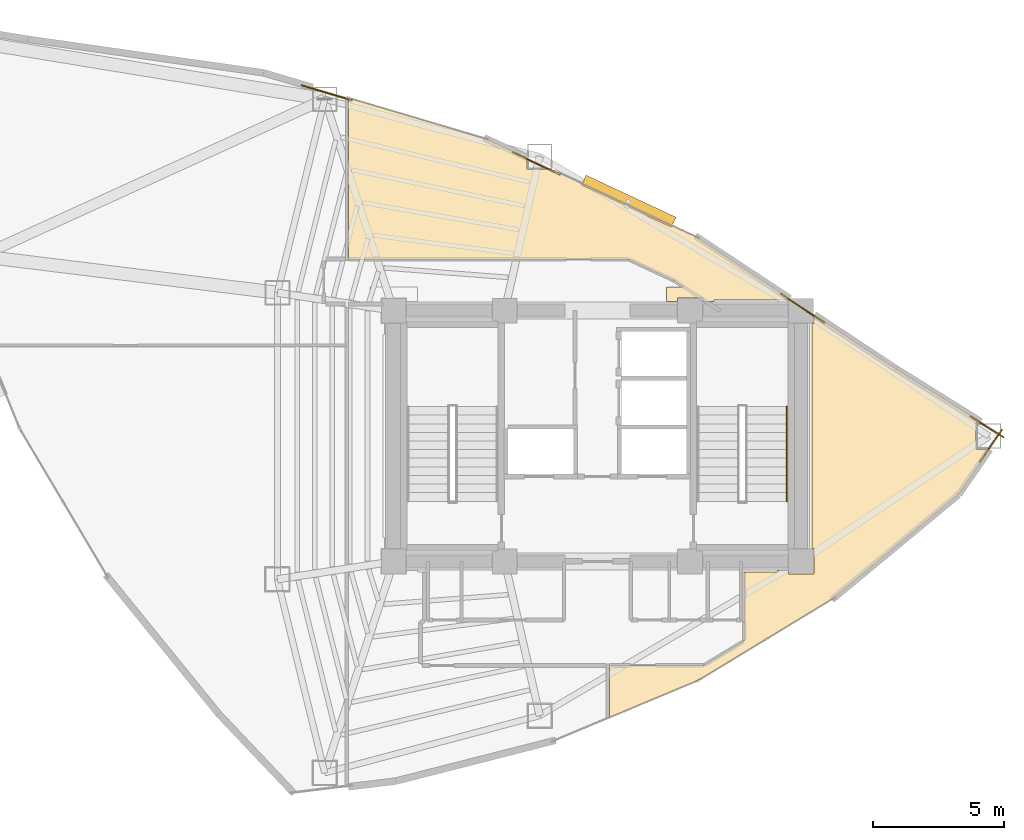
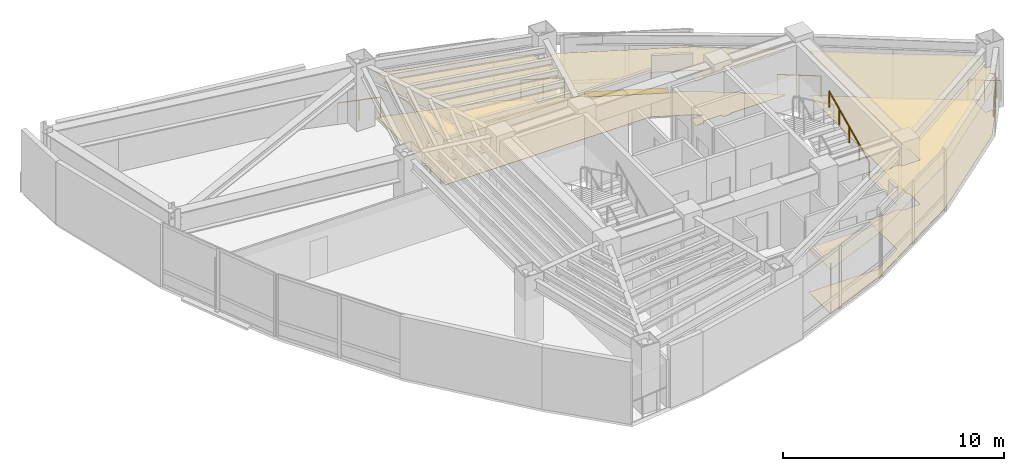
# One storey, part 16 of 16: 6 railings, 4 coverings, 1 shading device.
"""IFC4 building model written with IfcOpenShell, lengths in metres."""

from ifc_helpers import new_model, si_unit, direction, frame, origin, origin_2d, place, context, subcontext, project, spatial, polyline, rectangle, circle, outline, extrude, material, layer, layer_set, type_object, element, save


model = new_model("IFC4")

# Units and contexts
model_context = context("Model", 3, precision=1e-05, world=origin(), true_north=direction((0.0, 1.0)))
body_context = subcontext(model_context, "Body", "Model", "MODEL_VIEW")
ifc_project = project(units=[si_unit("LENGTHUNIT", "METRE"), si_unit("AREAUNIT", "SQUARE_METRE"), si_unit("VOLUMEUNIT", "CUBIC_METRE"), si_unit("PLANEANGLEUNIT", "RADIAN"), si_unit("MASSUNIT", "GRAM", prefix="KILO")], contexts=[model_context])

# Site, building, storey
site_placement = place(None, origin())
site = spatial("IfcSite", under=ifc_project, at=site_placement, CompositionType="ELEMENT")
building_placement = place(site_placement, origin())
building = spatial("IfcBuilding", under=site, at=building_placement, Name="Menara Vayukalpa", CompositionType="ELEMENT")
storey_placement = place(building_placement, frame((0.0, 0.0, 202.679931640625)))
storey = spatial("IfcBuildingStorey", under=building, at=storey_placement, Name="L51", CompositionType="ELEMENT", Elevation=202.679931640625)

# Coverings
ifc_material_1 = material(Name="Mineral Fibre Acoustic Ceiling Tile", Category="masonry")
ifc_layer_1 = layer(ifc_material_1, 0.02490234375)
ifc_layer_set_1 = layer_set([ifc_layer_1], Name="Mineral Fibre Acoustic Ceiling Tile")
covering_type_1 = type_object("IfcCoveringType", Name="COV-CLG1", PredefinedType="CEILING", material=ifc_layer_set_1)
covering_1_placement = place(storey_placement, frame((0.0, 0.0, 2.449951171875)))
element("IfcCovering", 1, at=covering_1_placement, inside=storey, type_object=covering_type_1, Name="L51 Technical Reference Library Acoustic Ceiling", PredefinedType="CEILING", context=body_context, shape_type="SweptSolid", body=[
    extrude(outline(polyline([(33.81005859375, 26.31005859375), (33.889892578125, 26.31005859375), (33.889892578125, 26.653564453125), (37.04296875, 24.569580078125), (37.04345703125, 24.5693359375), (37.04345703125, 24.5693359375), (40.373779296875, 22.489990234375), (40.1005859375, 22.489990234375), (40.1005859375, 21.510009765625), (40.635009765625, 21.510009765625), (39.4326171875, 19.765869140625), (39.431884765625, 19.76513671875), (39.431396484375, 19.764404296875), (39.4306640625, 19.763916015625), (34.662109375, 15.809326171875), (34.660888671875, 15.80859375), (29.47998046875, 12.661376953125), (29.479248046875, 12.660888671875), (29.478515625, 12.66064453125), (26.073974609375, 11.236328125), (26.072998046875, 11.236083984375), (26.072021484375, 11.23583984375), (26.071044921875, 11.235595703125), (26.070068359375, 11.235595703125), (26.069091796875, 11.235595703125), (26.068115234375, 11.23583984375), (26.067138671875, 11.236083984375), (26.066162109375, 11.236328125), (26.065185546875, 11.23681640625), (26.064453125, 11.2373046875), (26.063720703125, 11.23779296875), (26.06298828125, 11.238525390625), (26.062255859375, 11.2392578125), (26.061767578125, 11.239990234375), (26.061279296875, 11.240966796875), (26.060791015625, 11.24169921875), (26.060302734375, 11.24267578125), (26.060302734375, 11.24365234375), (26.06005859375, 11.24462890625), (26.06005859375, 11.24560546875), (26.06005859375, 13.2099609375), (26.06005859375, 13.2109375), (26.060302734375, 13.2119140625), (26.060302734375, 13.212890625), (26.060791015625, 13.2138671875), (26.061279296875, 13.214599609375), (26.061767578125, 13.215576171875), (26.062255859375, 13.21630859375), (26.06298828125, 13.217041015625), (26.063720703125, 13.2177734375), (26.064453125, 13.21826171875), (26.065185546875, 13.21875), (26.066162109375, 13.21923828125), (26.067138671875, 13.219482421875), (26.068115234375, 13.2197265625), (26.069091796875, 13.219970703125), (26.070068359375, 13.219970703125), (29.667236328125, 13.219970703125), (29.673828125, 13.22021484375), (29.68017578125, 13.22119140625), (29.686279296875, 13.22265625), (29.6923828125, 13.224609375), (29.6982421875, 13.22705078125), (29.7041015625, 13.230224609375), (31.18603515625, 14.130615234375), (31.1923828125, 14.134765625), (31.19775390625, 14.139404296875), (31.20263671875, 14.14453125), (31.20703125, 14.150146484375), (31.2109375, 14.15625), (31.214111328125, 14.16259765625), (31.216552734375, 14.16943359375), (31.218505859375, 14.176513671875), (31.219482421875, 14.183349609375), (31.219970703125, 14.19091796875), (31.219970703125, 14.849609375), (31.219482421875, 14.856689453125), (31.21875, 14.86376953125), (31.217041015625, 14.870361328125), (31.214599609375, 14.876708984375), (31.2119140625, 14.8828125), (31.211669921875, 14.883056640625), (31.211181640625, 14.8837890625), (31.210693359375, 14.884765625), (31.21044921875, 14.8857421875), (31.210205078125, 14.88671875), (31.2099609375, 14.8876953125), (31.2099609375, 14.888671875), (31.2099609375, 16.780029296875), (31.2099609375, 16.781005859375), (31.210205078125, 16.781982421875), (31.21044921875, 16.782958984375), (31.210693359375, 16.78369140625), (31.211181640625, 16.78466796875), (31.211669921875, 16.78564453125), (31.21240234375, 16.786376953125), (31.212890625, 16.787109375), (31.213623046875, 16.78759765625), (31.21435546875, 16.788330078125), (31.21533203125, 16.788818359375), (31.21630859375, 16.789306640625), (31.217041015625, 16.78955078125), (31.218017578125, 16.789794921875), (31.218994140625, 16.7900390625), (31.219970703125, 16.7900390625), (32.489990234375, 16.7900390625), (32.489990234375, 16.85009765625), (32.909912109375, 16.85009765625), (32.909912109375, 16.7099609375), (33.889892578125, 16.7099609375), (33.889892578125, 17.68994140625), (33.81005859375, 17.68994140625), (33.81005859375, 26.31005859375)])), origin(), (0.0, 0.0, 1.0), 0.025146484375),
])
covering_2_placement = place(storey_placement, frame((0.0, 0.0, 2.449951171875)))
element("IfcCovering", 2, at=covering_2_placement, inside=storey, type_object=covering_type_1, Name="L51 Technical Reference Library Acoustic Ceiling", PredefinedType="CEILING", context=body_context, shape_type="SweptSolid", body=[
    extrude(outline(polyline([(28.525390625, 27.95751953125), (28.515869140625, 27.962890625), (26.80517578125, 28.76318359375), (26.7978515625, 28.76611328125), (26.79052734375, 28.768310546875), (26.782958984375, 28.76953125), (26.77490234375, 28.77001953125), (16.070068359375, 28.77001953125), (16.069091796875, 28.77001953125), (16.068115234375, 28.770263671875), (16.067138671875, 28.7705078125), (16.066162109375, 28.770751953125), (16.065185546875, 28.771240234375), (16.064453125, 28.771728515625), (16.063720703125, 28.772216796875), (16.06298828125, 28.77294921875), (16.062255859375, 28.773681640625), (16.061767578125, 28.7744140625), (16.061279296875, 28.775390625), (16.060791015625, 28.776123046875), (16.060302734375, 28.777099609375), (16.060302734375, 28.778076171875), (16.06005859375, 28.779052734375), (16.06005859375, 28.780029296875), (16.06005859375, 34.93115234375), (16.06005859375, 34.93212890625), (16.060302734375, 34.93310546875), (16.060302734375, 34.93408203125), (16.060791015625, 34.934814453125), (16.061279296875, 34.935791015625), (16.061767578125, 34.9365234375), (16.062255859375, 34.9375), (16.06298828125, 34.938232421875), (16.063720703125, 34.938720703125), (16.064453125, 34.939453125), (16.065185546875, 34.93994140625), (16.066162109375, 34.940185546875), (16.067138671875, 34.940673828125), (16.068115234375, 34.94091796875), (16.069091796875, 34.94091796875), (16.06982421875, 34.941162109375), (16.07080078125, 34.941162109375), (16.072021484375, 34.94091796875), (16.07275390625, 34.940673828125), (21.35888671875, 33.37548828125), (21.359619140625, 33.375244140625), (21.3603515625, 33.375), (22.8994140625, 32.655029296875), (22.8994140625, 32.218505859375), (23.83251953125, 32.218505859375), (29.43701171875, 29.5966796875), (29.438232421875, 29.595947265625), (32.927001953125, 27.2900390625), (32.909912109375, 27.2900390625), (32.909912109375, 27.2099609375), (30.06005859375, 27.2099609375), (30.06005859375, 27.14990234375), (29.639892578125, 27.14990234375), (29.639892578125, 27.2900390625), (28.659912109375, 27.2900390625), (28.659912109375, 27.14990234375), (28.239990234375, 27.14990234375), (28.239990234375, 27.7099609375), (28.900146484375, 27.7099609375), (28.525390625, 27.95751953125)])), origin(), (0.0, 0.0, 1.0), 0.025146484375),
])
ifc_material_2 = material(Name="Porcelain Stoneware Floor Tile", Category="masonry")
ifc_layer_2 = layer(ifc_material_2, 0.02001953125)
ifc_layer_set_2 = layer_set([ifc_layer_2], Name="Porcelain Stoneware Floor Tile")
covering_type_2 = type_object("IfcCoveringType", Name="COV-FLR1", PredefinedType="FLOORING", material=ifc_layer_set_2)
covering_3_placement = place(storey_placement, origin())
element("IfcCovering", 3, at=covering_3_placement, inside=storey, type_object=covering_type_2, Name="L51 Technical Reference Library Porcelain Flooring", PredefinedType="FLOORING", context=body_context, shape_type="SweptSolid", body=[
    extrude(outline(polyline([(33.81005859375, 26.31005859375), (33.889892578125, 26.31005859375), (33.889892578125, 26.653564453125), (37.04296875, 24.569580078125), (37.04345703125, 24.5693359375), (37.04345703125, 24.5693359375), (40.373779296875, 22.489990234375), (40.1005859375, 22.489990234375), (40.1005859375, 21.510009765625), (40.635009765625, 21.510009765625), (39.4326171875, 19.765869140625), (39.431884765625, 19.76513671875), (39.431396484375, 19.764404296875), (39.4306640625, 19.763916015625), (34.662109375, 15.809326171875), (34.660888671875, 15.80859375), (29.47998046875, 12.661376953125), (29.479248046875, 12.660888671875), (29.478515625, 12.66064453125), (26.073974609375, 11.236328125), (26.072998046875, 11.236083984375), (26.072021484375, 11.23583984375), (26.071044921875, 11.235595703125), (26.070068359375, 11.235595703125), (26.069091796875, 11.235595703125), (26.068115234375, 11.23583984375), (26.067138671875, 11.236083984375), (26.066162109375, 11.236328125), (26.065185546875, 11.23681640625), (26.064453125, 11.2373046875), (26.063720703125, 11.23779296875), (26.06298828125, 11.238525390625), (26.062255859375, 11.2392578125), (26.061767578125, 11.239990234375), (26.061279296875, 11.240966796875), (26.060791015625, 11.24169921875), (26.060302734375, 11.24267578125), (26.060302734375, 11.24365234375), (26.06005859375, 11.24462890625), (26.06005859375, 11.24560546875), (26.06005859375, 13.2099609375), (26.06005859375, 13.2109375), (26.060302734375, 13.2119140625), (26.060302734375, 13.212890625), (26.060791015625, 13.2138671875), (26.061279296875, 13.214599609375), (26.061767578125, 13.215576171875), (26.062255859375, 13.21630859375), (26.06298828125, 13.217041015625), (26.063720703125, 13.2177734375), (26.064453125, 13.21826171875), (26.065185546875, 13.21875), (26.066162109375, 13.21923828125), (26.067138671875, 13.219482421875), (26.068115234375, 13.2197265625), (26.069091796875, 13.219970703125), (26.070068359375, 13.219970703125), (29.667236328125, 13.219970703125), (29.673828125, 13.22021484375), (29.68017578125, 13.22119140625), (29.686279296875, 13.22265625), (29.6923828125, 13.224609375), (29.6982421875, 13.22705078125), (29.7041015625, 13.230224609375), (31.18603515625, 14.130615234375), (31.1923828125, 14.134765625), (31.19775390625, 14.139404296875), (31.20263671875, 14.14453125), (31.20703125, 14.150146484375), (31.2109375, 14.15625), (31.214111328125, 14.16259765625), (31.216552734375, 14.16943359375), (31.218505859375, 14.176513671875), (31.219482421875, 14.183349609375), (31.219970703125, 14.19091796875), (31.219970703125, 14.849609375), (31.219482421875, 14.856689453125), (31.21875, 14.86376953125), (31.217041015625, 14.870361328125), (31.214599609375, 14.876708984375), (31.2119140625, 14.8828125), (31.211669921875, 14.883056640625), (31.211181640625, 14.8837890625), (31.210693359375, 14.884765625), (31.21044921875, 14.8857421875), (31.210205078125, 14.88671875), (31.2099609375, 14.8876953125), (31.2099609375, 14.888671875), (31.2099609375, 16.780029296875), (31.2099609375, 16.781005859375), (31.210205078125, 16.781982421875), (31.21044921875, 16.782958984375), (31.210693359375, 16.78369140625), (31.211181640625, 16.78466796875), (31.211669921875, 16.78564453125), (31.21240234375, 16.786376953125), (31.212890625, 16.787109375), (31.213623046875, 16.78759765625), (31.21435546875, 16.788330078125), (31.21533203125, 16.788818359375), (31.21630859375, 16.789306640625), (31.217041015625, 16.78955078125), (31.218017578125, 16.789794921875), (31.218994140625, 16.7900390625), (31.219970703125, 16.7900390625), (32.489990234375, 16.7900390625), (32.489990234375, 16.85009765625), (32.909912109375, 16.85009765625), (32.909912109375, 16.7099609375), (33.889892578125, 16.7099609375), (33.889892578125, 17.68994140625), (33.81005859375, 17.68994140625), (33.81005859375, 26.31005859375)])), origin(), (0.0, 0.0, 1.0), 0.02001953125),
])
covering_4_placement = place(storey_placement, origin())
element("IfcCovering", 4, at=covering_4_placement, inside=storey, type_object=covering_type_2, Name="L51 Technical Reference Library Porcelain Flooring", PredefinedType="FLOORING", context=body_context, shape_type="SweptSolid", body=[
    extrude(outline(polyline([(28.525390625, 27.95751953125), (28.515869140625, 27.962890625), (26.80517578125, 28.76318359375), (26.7978515625, 28.76611328125), (26.79052734375, 28.768310546875), (26.782958984375, 28.76953125), (26.77490234375, 28.77001953125), (16.070068359375, 28.77001953125), (16.069091796875, 28.77001953125), (16.068115234375, 28.770263671875), (16.067138671875, 28.7705078125), (16.066162109375, 28.770751953125), (16.065185546875, 28.771240234375), (16.064453125, 28.771728515625), (16.063720703125, 28.772216796875), (16.06298828125, 28.77294921875), (16.062255859375, 28.773681640625), (16.061767578125, 28.7744140625), (16.061279296875, 28.775390625), (16.060791015625, 28.776123046875), (16.060302734375, 28.777099609375), (16.060302734375, 28.778076171875), (16.06005859375, 28.779052734375), (16.06005859375, 28.780029296875), (16.06005859375, 34.93115234375), (16.06005859375, 34.93212890625), (16.060302734375, 34.93310546875), (16.060302734375, 34.93408203125), (16.060791015625, 34.934814453125), (16.061279296875, 34.935791015625), (16.061767578125, 34.9365234375), (16.062255859375, 34.9375), (16.06298828125, 34.938232421875), (16.063720703125, 34.938720703125), (16.064453125, 34.939453125), (16.065185546875, 34.93994140625), (16.066162109375, 34.940185546875), (16.067138671875, 34.940673828125), (16.068115234375, 34.94091796875), (16.069091796875, 34.94091796875), (16.06982421875, 34.941162109375), (16.07080078125, 34.941162109375), (16.072021484375, 34.94091796875), (16.07275390625, 34.940673828125), (21.35888671875, 33.37548828125), (21.359619140625, 33.375244140625), (21.3603515625, 33.375), (22.8994140625, 32.655029296875), (22.8994140625, 32.218505859375), (23.83251953125, 32.218505859375), (29.43701171875, 29.5966796875), (29.438232421875, 29.595947265625), (32.927001953125, 27.2900390625), (32.909912109375, 27.2900390625), (32.909912109375, 27.2099609375), (30.06005859375, 27.2099609375), (30.06005859375, 27.14990234375), (29.639892578125, 27.14990234375), (29.639892578125, 27.2900390625), (28.659912109375, 27.2900390625), (28.659912109375, 27.14990234375), (28.239990234375, 27.14990234375), (28.239990234375, 27.7099609375), (28.900146484375, 27.7099609375), (28.525390625, 27.95751953125)])), origin(), (0.0, 0.0, 1.0), 0.02001953125),
])

# Railings
ifc_material_3 = material(Name="Laminated Glass and Stainless Steel 316 Guardrail", Category="steel")
railing_type_1 = type_object("IfcRailingType", Name="RLG-EXT115", PredefinedType="GUARDRAIL", material=ifc_material_3)
railing_1_placement = place(storey_placement, frame((40.251953125, 21.02490234375, 0.0)))
element("IfcRailing", 5, at=railing_1_placement, inside=storey, type_object=railing_type_1, Name="L51 Column Corner Spandrel Guardrail 01-1", PredefinedType="GUARDRAIL", context=body_context, shape_type="SweptSolid", body=[
    extrude(circle(Radius=0.02392578125, at=origin_2d()), frame((0.0, 0.0, 1.1259765625), z_axis=(0.56749405819, 0.823377491749, 0.0), x_axis=(-0.823377491749, 0.56749405819, 0.0)), (0.0, 0.0, 1.0), 1.480712890625),
    extrude(circle(Radius=0.02099609375, at=origin_2d()), origin(), (0.0, 0.0, 1.0), 1.101806640625),
    extrude(circle(Radius=0.02099609375, at=origin_2d()), frame((0.420166015625, 0.609619140625, 0.0)), (0.0, 0.0, 1.0), 1.101806640625),
    extrude(circle(Radius=0.02099609375, at=origin_2d()), frame((0.84033203125, 1.21923828125, 0.0)), (0.0, 0.0, 1.0), 1.101806640625),
])
railing_2_placement = place(storey_placement, frame((41.152099609375, 21.956787109375, 0.0)))
element("IfcRailing", 6, at=railing_2_placement, inside=storey, type_object=railing_type_1, Name="L51 Column Corner Spandrel Guardrail 02-1", PredefinedType="GUARDRAIL", context=body_context, shape_type="SweptSolid", body=[
    extrude(circle(Radius=0.02392578125, at=origin_2d()), frame((0.0, 0.0, 1.1259765625), z_axis=(-0.848218505304, 0.529646454968, 0.0), x_axis=(-0.529646454968, -0.848218505304, 0.0)), (0.0, 0.0, 1.0), 1.494384765625),
    extrude(circle(Radius=0.02099609375, at=origin_2d()), origin(), (0.0, 0.0, 1.0), 1.101806640625),
    extrude(circle(Radius=0.02099609375, at=origin_2d()), frame((-0.6337890625, 0.395751953125, 0.0)), (0.0, 0.0, 1.0), 1.101806640625),
    extrude(circle(Radius=0.02099609375, at=origin_2d()), frame((-1.267578125, 0.79150390625, 0.0)), (0.0, 0.0, 1.0), 1.101806640625),
])
railing_3_placement = place(storey_placement, frame((34.289794921875, 26.341552734375, 0.0)))
element("IfcRailing", 7, at=railing_3_placement, inside=storey, type_object=railing_type_1, Name="L51 Column Corner Spandrel Guardrail 03-1", PredefinedType="GUARDRAIL", context=body_context, shape_type="SweptSolid", body=[
    extrude(circle(Radius=0.02392578125, at=origin_2d()), frame((0.0, 0.0, 1.1259765625), z_axis=(-0.83430811617, 0.551298437593, 0.0), x_axis=(-0.551298437593, -0.83430811617, 0.0)), (0.0, 0.0, 1.0), 1.990234375),
    extrude(circle(Radius=0.02099609375, at=origin_2d()), origin(), (0.0, 0.0, 1.0), 1.101806640625),
    extrude(circle(Radius=0.02099609375, at=origin_2d()), frame((-0.830078125, 0.548583984375, 0.0)), (0.0, 0.0, 1.0), 1.101806640625),
    extrude(circle(Radius=0.02099609375, at=origin_2d()), frame((-1.660400390625, 1.09716796875, 0.0)), (0.0, 0.0, 1.0), 1.101806640625),
])
railing_4_placement = place(storey_placement, frame((24.165283203125, 32.018798828125, 0.0)))
element("IfcRailing", 8, at=railing_4_placement, inside=storey, type_object=railing_type_1, Name="L51 Column Corner Spandrel Guardrail 04-1", PredefinedType="GUARDRAIL", context=body_context, shape_type="SweptSolid", body=[
    extrude(circle(Radius=0.02392578125, at=origin_2d()), frame((0.0, 0.0, 1.1259765625), z_axis=(-0.905825491009, 0.423651011845, 0.0), x_axis=(-0.423651011845, -0.905825491009, 0.0)), (0.0, 0.0, 1.0), 1.989990234375),
    extrude(circle(Radius=0.02099609375, at=origin_2d()), origin(), (0.0, 0.0, 1.0), 1.101806640625),
    extrude(circle(Radius=0.02099609375, at=origin_2d()), frame((-0.9013671875, 0.42138671875, 0.0)), (0.0, 0.0, 1.0), 1.101806640625),
    extrude(circle(Radius=0.02099609375, at=origin_2d()), frame((-1.802490234375, 0.843017578125, 0.0)), (0.0, 0.0, 1.0), 1.101806640625),
])
railing_5_placement = place(storey_placement, frame((16.181884765625, 34.86669921875, 0.0)))
element("IfcRailing", 9, at=railing_5_placement, inside=storey, type_object=railing_type_1, Name="L51 Column Corner Spandrel Guardrail 05-1", PredefinedType="GUARDRAIL", context=body_context, shape_type="SweptSolid", body=[
    extrude(circle(Radius=0.02392578125, at=origin_2d()), frame((0.0, 0.0, 1.1259765625), z_axis=(-0.958859970979, 0.28387947452, 0.0), x_axis=(-0.28387947452, -0.958859970979, 0.0)), (0.0, 0.0, 1.0), 1.989990234375),
    extrude(circle(Radius=0.02099609375, at=origin_2d()), origin(), (0.0, 0.0, 1.0), 1.101806640625),
    extrude(circle(Radius=0.02099609375, at=origin_2d()), frame((-0.9541015625, 0.282470703125, 0.0)), (0.0, 0.0, 1.0), 1.101806640625),
    extrude(circle(Radius=0.02099609375, at=origin_2d()), frame((-1.908203125, 0.56494140625, 0.0)), (0.0, 0.0, 1.0), 1.101806640625),
])
ifc_material_4 = material(Name="Stainless Steel 316 Tubular Handrail", Category="steel")
railing_type_2 = type_object("IfcRailingType", Name="RLG-STH090", PredefinedType="HANDRAIL", material=ifc_material_4)
railing_6_placement = place(storey_placement, frame((32.85009765625, 19.5, 0.155029296875)))
element("IfcRailing", 10, at=railing_6_placement, inside=storey, type_object=railing_type_2, Name="L51 ST-2 stair handrail 1", PredefinedType="HANDRAIL", context=body_context, shape_type="SweptSolid", body=[
    extrude(circle(Radius=0.02392578125, at=origin_2d()), frame((0.0, 0.0, 0.8759765625), z_axis=(0.0, 0.90511648382, 0.425163675209), x_axis=(-1.0, 0.0, 0.0)), (0.0, 0.0, 1.0), 4.010498046875),
    extrude(circle(Radius=0.02099609375, at=origin_2d()), origin(), (0.0, 0.0, 1.0), 0.851806640625),
    extrude(circle(Radius=0.02099609375, at=origin_2d()), frame((0.0, 0.907470703125, 0.42626953125)), (0.0, 0.0, 1.0), 0.851806640625),
    extrude(circle(Radius=0.02099609375, at=origin_2d()), frame((0.0, 1.81494140625, 0.8525390625)), (0.0, 0.0, 1.0), 0.851806640625),
    extrude(circle(Radius=0.02099609375, at=origin_2d()), frame((0.0, 2.722412109375, 1.27880859375)), (0.0, 0.0, 1.0), 0.851806640625),
    extrude(circle(Radius=0.02099609375, at=origin_2d()), frame((0.0, 3.6298828125, 1.705078125)), (0.0, 0.0, 1.0), 0.851806640625),
])

# Shading device
ifc_material_5 = material(Name="Glazed Terracotta Ceramic Baguette Extrusion", Category="masonry")
ifc_layer_3 = layer(ifc_material_5, 0.1201171875)
ifc_layer_set_3 = layer_set([ifc_layer_3], Name="Glazed Terracotta Ceramic Baguette Extrusion")
shading_device_type = type_object("IfcShadingDeviceType", Name="SHD-SS1", PredefinedType="USERDEFINED", material=ifc_layer_set_3)
shading_device_placement = place(storey_placement, frame((26.80126953125, 30.995361328125, -0.10009765625), z_axis=(0.0, 0.0, 1.0), x_axis=(-0.905783389628, 0.423741018871, 0.0)))
element("IfcShadingDevice", 11, at=shading_device_placement, inside=storey, type_object=shading_device_type, Name="L51 Horizontal Terracotta Sunshade Band 05", ObjectType="SUNSHADE", PredefinedType="USERDEFINED", context=body_context, shape_type="SweptSolid", body=[
    extrude(rectangle(XDim=3.800048828125, YDim=0.419921875, at=origin_2d()), origin(), (0.0, 0.0, 1.0), 0.1201171875),
])

save(model, "model.ifc")
